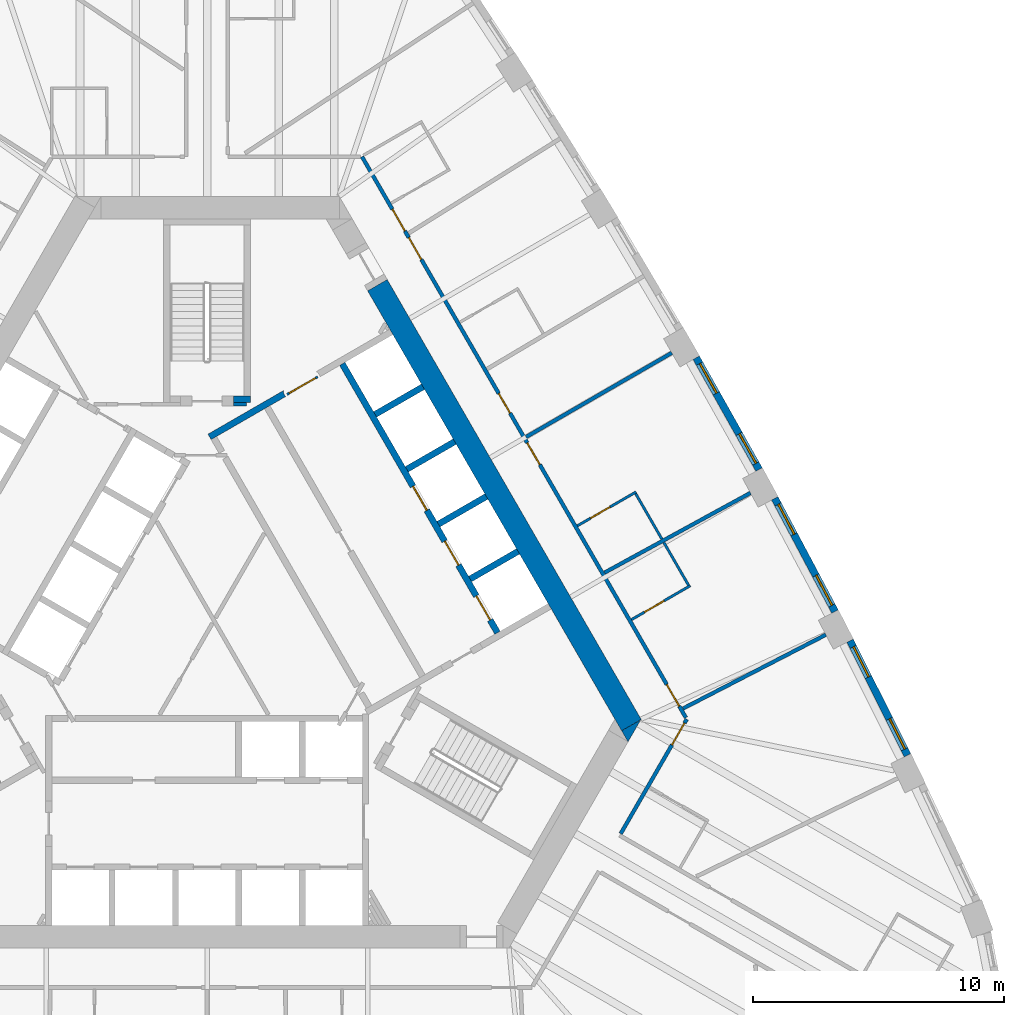
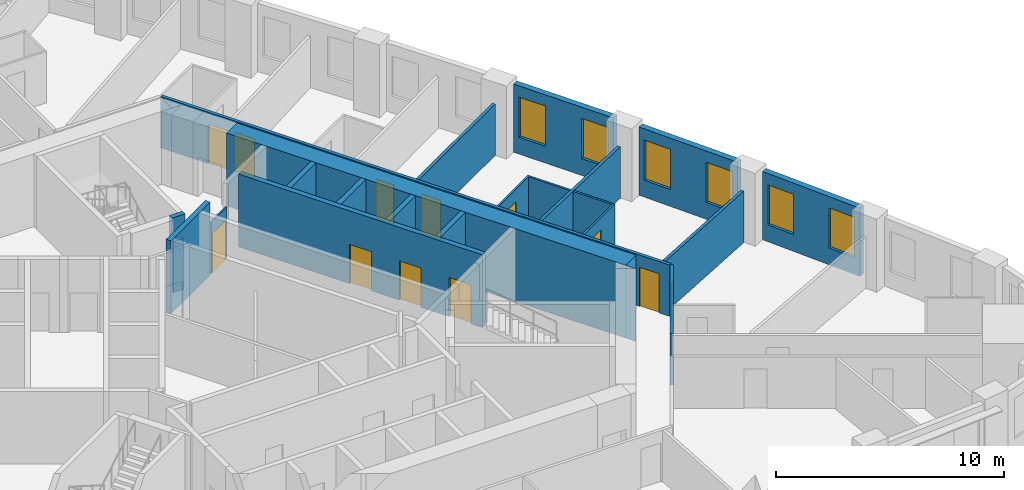
# One storey, part 9 of 13: 23 walls, 12 doors, 6 windows, 18 openings.
"""IFC4 building model written with IfcOpenShell, lengths in metres."""

from ifc_helpers import new_model, si_unit, direction, frame, frame_2d, origin, place, context, subcontext, project, spatial, polyline, rectangle, outline, extrude, material, layer, layer_set, type_object, element, fill, save


model = new_model("IFC4")

# Units and contexts
model_context = context("Model", 3, precision=1e-05, world=origin(), true_north=direction((0.0, 1.0)))
body_context = subcontext(model_context, "Body", "Model", "MODEL_VIEW")
ifc_project = project(units=[si_unit("LENGTHUNIT", "METRE"), si_unit("AREAUNIT", "SQUARE_METRE"), si_unit("VOLUMEUNIT", "CUBIC_METRE"), si_unit("PLANEANGLEUNIT", "RADIAN"), si_unit("MASSUNIT", "GRAM", prefix="KILO")], contexts=[model_context])

# Site, building, storey
site_placement = place(None, origin())
site = spatial("IfcSite", under=ifc_project, at=site_placement, CompositionType="ELEMENT")
building_placement = place(site_placement, origin())
building = spatial("IfcBuilding", under=site, at=building_placement, Name="Mestral Congress Tower", CompositionType="ELEMENT")
storey_placement = place(building_placement, frame((0.0, 0.0, 114.89990234375)))
storey = spatial("IfcBuildingStorey", under=building, at=storey_placement, Name="L27", CompositionType="ELEMENT", Elevation=114.89990234375)

# Wall
ifc_material_1 = material(Name="Fire-rated board partition")
ifc_layer_1 = layer(ifc_material_1, 0.14990234375)
ifc_layer_set_1 = layer_set([ifc_layer_1], Name="Fire-rated board partition")
wall_type_1 = type_object("IfcWallType", Name="Core partition 150", PredefinedType="PARTITIONING", material=ifc_layer_set_1)
wall_1_placement = place(storey_placement, frame((1.050048828125, 8.62548828125, 0.0), z_axis=(0.0, 0.0, 1.0), x_axis=(1.0, 0.0, 0.0)))
element("IfcWall", 1, at=wall_1_placement, inside=storey, type_object=wall_type_1, Name="L27 core wall", PredefinedType="PARTITIONING", context=body_context, shape_type="SweptSolid", body=[
    extrude(rectangle(XDim=0.513916015625, YDim=0.14990234375, at=frame_2d((0.2568359375, 0.0))), origin(), (0.0, 0.0, 1.0), 2.75),
])

# Wall, opening, door
ifc_layer_2 = layer(ifc_material_1, 0.090087890625)
ifc_layer_set_2 = layer_set([ifc_layer_2], Name="Fire-rated board partition")
wall_type_2 = type_object("IfcWallType", Name="Core partition 150 door-wall 90", PredefinedType="PARTITIONING", material=ifc_layer_set_2)
wall_2_placement = place(storey_placement, frame((3.182861328125, 9.02001953125, 0.0), z_axis=(0.0, 0.0, 1.0), x_axis=(0.866034573852, 0.49998411664, 0.0)))
wall_2 = element("IfcWall", 2, at=wall_2_placement, inside=storey, type_object=wall_type_2, Name="L27 door wall", PredefinedType="PARTITIONING", context=body_context, shape_type="SweptSolid", body=[
    extrude(rectangle(XDim=1.39990234375, YDim=0.090087890625, at=frame_2d((0.699951171875, 0.0))), origin(), (0.0, 0.0, 1.0), 2.75),
])
opening_1_placement = place(wall_2_placement, frame((0.10009765625, 0.0, 0.0)))
opening_1 = element("IfcOpeningElement", 3, at=opening_1_placement, cuts=wall_2, Name="Opening LB1-WL2", PredefinedType="OPENING", context=body_context, shape_type="SweptSolid", body=[
    extrude(rectangle(XDim=1.199951171875, YDim=2.10009765625, at=frame_2d((0.60009765625, 1.050048828125))), frame((0.0, 0.054931640625, 0.0), z_axis=(0.0, -1.0, 0.0), x_axis=(1.0, 0.0, 0.0)), (0.0, 0.0, 1.0), 0.110107421875),
])
ifc_material_2 = material(Name="Fire-rated steel door set", Category="steel")
door_type_1 = type_object("IfcDoorType", Name="Core door LB 1200x2100", OperationType="SINGLE_SWING_LEFT", PredefinedType="DOOR", material=ifc_material_2)
door_1_placement = place(opening_1_placement, origin())
door_1 = element("IfcDoor", 4, at=door_1_placement, inside=storey, type_object=door_type_1, Name="Door LB1-WL2", OperationType="SINGLE_SWING_LEFT", OverallHeight=2.10009765625, OverallWidth=1.199951171875, PredefinedType="DOOR", context=body_context, shape_type="SweptSolid", body=[
    extrude(rectangle(XDim=1.199951171875, YDim=2.10009765625, at=frame_2d((0.60009765625, 1.050048828125))), frame((0.0, 0.02490234375, 0.0), z_axis=(0.0, -1.0, 0.0), x_axis=(1.0, 0.0, 0.0)), (0.0, 0.0, 1.0), 0.050048828125),
])
fill(opening_1, door_1)

# Walls
ifc_material_3 = material(Name="Concrete C60/75", Category="concrete")
ifc_layer_3 = layer(ifc_material_3, 0.89990234375)
ifc_layer_set_3 = layer_set([ifc_layer_3], Name="Concrete C60/75")
wall_type_3 = type_object("IfcWallType", Name="Core wall RC 900", PredefinedType="SOLIDWALL", material=ifc_layer_set_3)
wall_3_placement = place(storey_placement, frame((6.77587890625, 13.36376953125, 0.0), z_axis=(0.0, 0.0, 1.0), x_axis=(0.500004177138, -0.8660229921, 0.0)))
element("IfcWall", 5, at=wall_3_placement, inside=storey, type_object=wall_type_3, Name="L27 core wall", PredefinedType="SOLIDWALL", context=body_context, shape_type="SweptSolid", body=[
    extrude(rectangle(XDim=20.203857421875, YDim=0.89990234375, at=frame_2d((10.10205078125, 0.0))), origin(), (0.0, 0.0, 1.0), 3.900146484375),
])
placement = place(storey_placement, origin())
element("IfcWall", 6, at=placement, inside=storey, type_object=wall_type_3, Name="L27 core wall", PredefinedType="SOLIDWALL", context=body_context, shape_type="SweptSolid", body=[
    extrude(outline(polyline([(16.7431640625, -4.800048828125), (16.4892578125, -4.360107421875), (17.251220703125, -3.920166015625), (16.7431640625, -4.800048828125)])), origin(), (0.0, 0.0, 1.0), 3.900146484375),
])

# Wall, openings, windows
ifc_material_4 = material(Name="Precast concrete C40/50 with limestone facing", Category="masonry")
ifc_layer_4 = layer(ifc_material_4, 0.2900390625)
ifc_layer_set_4 = layer_set([ifc_layer_4], Name="Precast concrete C40/50 with limestone facing")
wall_type_4 = type_object("IfcWallType", Name="Facade stone wall 290", PredefinedType="SOLIDWALL", material=ifc_layer_set_4)
wall_5_placement = place(storey_placement, frame((27.864013671875, -5.336181640625, 0.0), z_axis=(0.0, 0.0, 1.0), x_axis=(-0.448534297211, 0.893765620409, 0.0)))
wall_5 = element("IfcWall", 7, at=wall_5_placement, inside=storey, type_object=wall_type_4, Name="Facade wall F1-01", PredefinedType="SOLIDWALL", context=body_context, shape_type="SweptSolid", body=[
    extrude(rectangle(XDim=5.10009765625, YDim=0.2900390625, at=frame_2d((2.550048828125, 0.0))), origin(), (0.0, 0.0, 1.0), 3.650146484375),
])
opening_2_placement = place(wall_5_placement, frame((0.2724609375, 0.0, 0.89990234375)))
opening_2 = element("IfcOpeningElement", 8, at=opening_2_placement, cuts=wall_5, Name="Opening W2", PredefinedType="OPENING", context=body_context, shape_type="SweptSolid", body=[
    extrude(rectangle(XDim=1.35009765625, YDim=2.14990234375, at=frame_2d((0.675048828125, 1.074951171875))), frame((0.0, 0.155029296875, 0.0), z_axis=(0.0, -1.0, 0.0), x_axis=(1.0, 0.0, 0.0)), (0.0, 0.0, 1.0), 0.31005859375),
])
opening_3_placement = place(wall_5_placement, frame((3.477783203125, 0.0, 0.89990234375)))
opening_3 = element("IfcOpeningElement", 9, at=opening_3_placement, cuts=wall_5, Name="Opening W2", PredefinedType="OPENING", context=body_context, shape_type="SweptSolid", body=[
    extrude(rectangle(XDim=1.35009765625, YDim=2.14990234375, at=frame_2d((0.675048828125, 1.074951171875))), frame((0.0, 0.155029296875, 0.0), z_axis=(0.0, -1.0, 0.0), x_axis=(1.0, 0.0, 0.0)), (0.0, 0.0, 1.0), 0.31005859375),
])
ifc_material_5 = material(Name="Clear low-emissivity double glazing", Category="glass")
window_type = type_object("IfcWindowType", Name="Facade punched window 1350 x 2150 sill 900", PartitioningType="DOUBLE_PANEL_VERTICAL", PredefinedType="WINDOW", material=ifc_material_5)
window_1_placement = place(opening_2_placement, origin())
window_1 = element("IfcWindow", 10, at=window_1_placement, inside=storey, type_object=window_type, Name="Window F1-01a", OverallHeight=2.14990234375, OverallWidth=1.35009765625, PartitioningType="DOUBLE_PANEL_VERTICAL", PredefinedType="WINDOW", context=body_context, shape_type="SweptSolid", body=[
    extrude(rectangle(XDim=1.35009765625, YDim=2.14990234375, at=frame_2d((0.675048828125, 1.074951171875))), frame((0.0, 0.01513671875, 0.0), z_axis=(0.0, -1.0, 0.0), x_axis=(1.0, 0.0, 0.0)), (0.0, 0.0, 1.0), 0.06005859375),
])
fill(opening_2, window_1)
window_2_placement = place(opening_3_placement, origin())
window_2 = element("IfcWindow", 11, at=window_2_placement, inside=storey, type_object=window_type, Name="Window F1-01b", OverallHeight=2.14990234375, OverallWidth=1.35009765625, PartitioningType="DOUBLE_PANEL_VERTICAL", PredefinedType="WINDOW", context=body_context, shape_type="SweptSolid", body=[
    extrude(rectangle(XDim=1.35009765625, YDim=2.14990234375, at=frame_2d((0.675048828125, 1.074951171875))), frame((0.0, 0.01513671875, 0.0), z_axis=(0.0, -1.0, 0.0), x_axis=(1.0, 0.0, 0.0)), (0.0, 0.0, 1.0), 0.06005859375),
])
fill(opening_3, window_2)

wall_6_placement = place(storey_placement, frame((24.976806640625, 0.3828125, 0.0), z_axis=(0.0, 0.0, 1.0), x_axis=(-0.469323203119, 0.883026461106, 0.0)))
wall_6 = element("IfcWall", 12, at=wall_6_placement, inside=storey, type_object=wall_type_4, Name="Facade wall F1-02", PredefinedType="SOLIDWALL", context=body_context, shape_type="SweptSolid", body=[
    extrude(rectangle(XDim=5.1005859375, YDim=0.2900390625, at=frame_2d((2.55029296875, 0.0))), origin(), (0.0, 0.0, 1.0), 3.650146484375),
])
opening_4_placement = place(wall_6_placement, frame((0.272705078125, 0.0, 0.89990234375)))
opening_4 = element("IfcOpeningElement", 13, at=opening_4_placement, cuts=wall_6, Name="Opening W2", PredefinedType="OPENING", context=body_context, shape_type="SweptSolid", body=[
    extrude(rectangle(XDim=1.35009765625, YDim=2.14990234375, at=frame_2d((0.675048828125, 1.074951171875))), frame((0.0, 0.155029296875, 0.0), z_axis=(0.0, -1.0, 0.0), x_axis=(1.0, 0.0, 0.0)), (0.0, 0.0, 1.0), 0.31005859375),
])
opening_5_placement = place(wall_6_placement, frame((3.477783203125, 0.0, 0.89990234375)))
opening_5 = element("IfcOpeningElement", 14, at=opening_5_placement, cuts=wall_6, Name="Opening W2", PredefinedType="OPENING", context=body_context, shape_type="SweptSolid", body=[
    extrude(rectangle(XDim=1.35009765625, YDim=2.14990234375, at=frame_2d((0.675048828125, 1.074951171875))), frame((0.0, 0.155029296875, 0.0), z_axis=(0.0, -1.0, 0.0), x_axis=(1.0, 0.0, 0.0)), (0.0, 0.0, 1.0), 0.31005859375),
])
window_3_placement = place(opening_4_placement, origin())
window_3 = element("IfcWindow", 15, at=window_3_placement, inside=storey, type_object=window_type, Name="Window F1-02a", OverallHeight=2.14990234375, OverallWidth=1.35009765625, PartitioningType="DOUBLE_PANEL_VERTICAL", PredefinedType="WINDOW", context=body_context, shape_type="SweptSolid", body=[
    extrude(rectangle(XDim=1.35009765625, YDim=2.14990234375, at=frame_2d((0.675048828125, 1.074951171875))), frame((0.0, 0.01513671875, 0.0), z_axis=(0.0, -1.0, 0.0), x_axis=(1.0, 0.0, 0.0)), (0.0, 0.0, 1.0), 0.06005859375),
])
fill(opening_4, window_3)
window_4_placement = place(opening_5_placement, origin())
window_4 = element("IfcWindow", 16, at=window_4_placement, inside=storey, type_object=window_type, Name="Window F1-02b", OverallHeight=2.14990234375, OverallWidth=1.35009765625, PartitioningType="DOUBLE_PANEL_VERTICAL", PredefinedType="WINDOW", context=body_context, shape_type="SweptSolid", body=[
    extrude(rectangle(XDim=1.35009765625, YDim=2.14990234375, at=frame_2d((0.675048828125, 1.074951171875))), frame((0.0, 0.01513671875, 0.0), z_axis=(0.0, -1.0, 0.0), x_axis=(1.0, 0.0, 0.0)), (0.0, 0.0, 1.0), 0.06005859375),
])
fill(opening_5, window_4)

wall_7_placement = place(storey_placement, frame((21.956298828125, 6.033203125, 0.0), z_axis=(0.0, 0.0, 1.0), x_axis=(-0.48983164787, 0.87181704316, 0.0)))
wall_7 = element("IfcWall", 17, at=wall_7_placement, inside=storey, type_object=wall_type_4, Name="Facade wall F1-03", PredefinedType="SOLIDWALL", context=body_context, shape_type="SweptSolid", body=[
    extrude(rectangle(XDim=5.100341796875, YDim=0.2900390625, at=frame_2d((2.55029296875, 0.0))), origin(), (0.0, 0.0, 1.0), 3.650146484375),
])
opening_6_placement = place(wall_7_placement, frame((0.272705078125, 0.0, 0.89990234375)))
opening_6 = element("IfcOpeningElement", 18, at=opening_6_placement, cuts=wall_7, Name="Opening W2", PredefinedType="OPENING", context=body_context, shape_type="SweptSolid", body=[
    extrude(rectangle(XDim=1.35009765625, YDim=2.14990234375, at=frame_2d((0.675048828125, 1.074951171875))), frame((0.0, 0.155029296875, 0.0), z_axis=(0.0, -1.0, 0.0), x_axis=(1.0, 0.0, 0.0)), (0.0, 0.0, 1.0), 0.31005859375),
])
opening_7_placement = place(wall_7_placement, frame((3.477783203125, 0.0, 0.89990234375)))
opening_7 = element("IfcOpeningElement", 19, at=opening_7_placement, cuts=wall_7, Name="Opening W2", PredefinedType="OPENING", context=body_context, shape_type="SweptSolid", body=[
    extrude(rectangle(XDim=1.35009765625, YDim=2.14990234375, at=frame_2d((0.675048828125, 1.074951171875))), frame((0.0, 0.155029296875, 0.0), z_axis=(0.0, -1.0, 0.0), x_axis=(1.0, 0.0, 0.0)), (0.0, 0.0, 1.0), 0.31005859375),
])
window_5_placement = place(opening_6_placement, origin())
window_5 = element("IfcWindow", 20, at=window_5_placement, inside=storey, type_object=window_type, Name="Window F1-03a", OverallHeight=2.14990234375, OverallWidth=1.35009765625, PartitioningType="DOUBLE_PANEL_VERTICAL", PredefinedType="WINDOW", context=body_context, shape_type="SweptSolid", body=[
    extrude(rectangle(XDim=1.35009765625, YDim=2.14990234375, at=frame_2d((0.675048828125, 1.074951171875))), frame((0.0, 0.01513671875, 0.0), z_axis=(0.0, -1.0, 0.0), x_axis=(1.0, 0.0, 0.0)), (0.0, 0.0, 1.0), 0.06005859375),
])
fill(opening_6, window_5)
window_6_placement = place(opening_7_placement, origin())
window_6 = element("IfcWindow", 21, at=window_6_placement, inside=storey, type_object=window_type, Name="Window F1-03b", OverallHeight=2.14990234375, OverallWidth=1.35009765625, PartitioningType="DOUBLE_PANEL_VERTICAL", PredefinedType="WINDOW", context=body_context, shape_type="SweptSolid", body=[
    extrude(rectangle(XDim=1.35009765625, YDim=2.14990234375, at=frame_2d((0.675048828125, 1.074951171875))), frame((0.0, 0.01513671875, 0.0), z_axis=(0.0, -1.0, 0.0), x_axis=(1.0, 0.0, 0.0)), (0.0, 0.0, 1.0), 0.06005859375),
])
fill(opening_7, window_6)

# Wall, opening, door
ifc_material_6 = material(Name="Gypsum board partition on metal studs with mineral wool", Category="composite")
ifc_layer_5 = layer(ifc_material_6, 0.10009765625)
ifc_layer_set_5 = layer_set([ifc_layer_5], Name="Gypsum board partition on metal studs with mineral wool")
wall_type_5 = type_object("IfcWallType", Name="Hotel partition wall 100", PredefinedType="PARTITIONING", material=ifc_layer_set_5)
wall_8_placement = place(storey_placement, frame((16.88134765625, 0.060546875, 0.0), z_axis=(0.0, 0.0, 1.0), x_axis=(0.866019956843, 0.50000943426, 0.0)))
wall_8 = element("IfcWall", 22, at=wall_8_placement, inside=storey, type_object=wall_type_5, Name="L27-h-pod10a", PredefinedType="PARTITIONING", context=body_context, shape_type="SweptSolid", body=[
    extrude(rectangle(XDim=2.7001953125, YDim=0.10009765625, at=frame_2d((1.35009765625, 0.0))), origin(), (0.0, 0.0, 1.0), 2.75),
])
opening_8_placement = place(wall_8_placement, frame((0.60009765625, 0.0, 0.0)))
opening_8 = element("IfcOpeningElement", 23, at=opening_8_placement, cuts=wall_8, Name="Opening H08-017", PredefinedType="OPENING", context=body_context, shape_type="SweptSolid", body=[
    extrude(rectangle(XDim=0.89990234375, YDim=2.10009765625, at=frame_2d((0.449951171875, 1.050048828125))), frame((0.0, 0.06005859375, 0.0), z_axis=(0.0, -1.0, 0.0), x_axis=(1.0, 0.0, 0.0)), (0.0, 0.0, 1.0), 0.1201171875),
])
ifc_material_7 = material(Name="Timber veneer door leaf in timber frame", Category="wood")
door_type_2 = type_object("IfcDoorType", Name="Bathroom door 900", OperationType="SINGLE_SWING_LEFT", PredefinedType="DOOR", material=ifc_material_7)
door_2_placement = place(opening_8_placement, origin())
door_2 = element("IfcDoor", 24, at=door_2_placement, inside=storey, type_object=door_type_2, Name="L27-h-d017", OperationType="SINGLE_SWING_LEFT", OverallHeight=2.10009765625, OverallWidth=0.89990234375, PredefinedType="DOOR", context=body_context, shape_type="SweptSolid", body=[
    extrude(rectangle(XDim=0.89990234375, YDim=2.10009765625, at=frame_2d((0.449951171875, 1.050048828125))), frame((0.0, 0.02490234375, 0.0), z_axis=(0.0, -1.0, 0.0), x_axis=(1.0, 0.0, 0.0)), (0.0, 0.0, 1.0), 0.050048828125),
])
fill(opening_8, door_2)

# Wall
wall_9_placement = place(storey_placement, frame((19.1513671875, 1.428955078125, 0.0), z_axis=(0.0, 0.0, 1.0), x_axis=(-0.500024377727, 0.866011328839, 0.0)))
element("IfcWall", 25, at=wall_9_placement, inside=storey, type_object=wall_type_5, Name="L27-h-pod10b", PredefinedType="PARTITIONING", context=body_context, shape_type="SweptSolid", body=[
    extrude(rectangle(XDim=1.9599609375, YDim=0.10009765625, at=frame_2d((0.97998046875, 0.0))), origin(), (0.0, 0.0, 1.0), 2.75),
])

# Wall, opening, door
wall_10_placement = place(storey_placement, frame((17.065673828125, 5.141357421875, 0.0), z_axis=(0.0, 0.0, 1.0), x_axis=(-0.866059108428, -0.4999416173, 0.0)))
wall_10 = element("IfcWall", 26, at=wall_10_placement, inside=storey, type_object=wall_type_5, Name="L27-h-pod11a", PredefinedType="PARTITIONING", context=body_context, shape_type="SweptSolid", body=[
    extrude(rectangle(XDim=2.699951171875, YDim=0.10009765625, at=frame_2d((1.35009765625, 0.0))), origin(), (0.0, 0.0, 1.0), 2.75),
])
opening_9_placement = place(wall_10_placement, frame((1.199951171875, 0.0, 0.0)))
opening_9 = element("IfcOpeningElement", 27, at=opening_9_placement, cuts=wall_10, Name="Opening H08-019", PredefinedType="OPENING", context=body_context, shape_type="SweptSolid", body=[
    extrude(rectangle(XDim=0.89990234375, YDim=2.10009765625, at=frame_2d((0.449951171875, 1.050048828125))), frame((0.0, 0.06005859375, 0.0), z_axis=(0.0, -1.0, 0.0), x_axis=(1.0, 0.0, 0.0)), (0.0, 0.0, 1.0), 0.1201171875),
])
door_3_placement = place(opening_9_placement, origin())
door_3 = element("IfcDoor", 28, at=door_3_placement, inside=storey, type_object=door_type_2, Name="L27-h-d019", OperationType="SINGLE_SWING_LEFT", OverallHeight=2.10009765625, OverallWidth=0.89990234375, PredefinedType="DOOR", context=body_context, shape_type="SweptSolid", body=[
    extrude(rectangle(XDim=0.89990234375, YDim=2.10009765625, at=frame_2d((0.449951171875, 1.050048828125))), frame((0.0, 0.02490234375, 0.0), z_axis=(0.0, -1.0, 0.0), x_axis=(1.0, 0.0, 0.0)), (0.0, 0.0, 1.0), 0.050048828125),
])
fill(opening_9, door_3)

# Wall
wall_11_placement = place(storey_placement, frame((17.04736328125, 5.072998046875, 0.0), z_axis=(0.0, 0.0, 1.0), x_axis=(0.500008976872, -0.866020220923, 0.0)))
element("IfcWall", 29, at=wall_11_placement, inside=storey, type_object=wall_type_5, Name="L27-h-pod11b", PredefinedType="PARTITIONING", context=body_context, shape_type="SweptSolid", body=[
    extrude(rectangle(XDim=2.08984375, YDim=0.10009765625, at=frame_2d((1.044921875, 0.0))), origin(), (0.0, 0.0, 1.0), 2.75),
])

# Wall, opening, door
ifc_layer_6 = layer(ifc_material_6, 0.14990234375)
ifc_layer_set_6 = layer_set([ifc_layer_6], Name="Gypsum board partition on metal studs with mineral wool")
wall_type_6 = type_object("IfcWallType", Name="Hotel partition wall 150", PredefinedType="PARTITIONING", material=ifc_layer_set_6)
wall_12_placement = place(storey_placement, frame((19.081298828125, -3.89990234375, 0.0), z_axis=(0.0, 0.0, 1.0), x_axis=(-0.499974327079, -0.866040225545, 0.0)))
wall_12 = element("IfcWall", 30, at=wall_12_placement, inside=storey, type_object=wall_type_6, Name="L27-h-cw02", PredefinedType="PARTITIONING", context=body_context, shape_type="SweptSolid", body=[
    extrude(rectangle(XDim=5.258056640625, YDim=0.14990234375, at=frame_2d((2.62890625, 0.0))), origin(), (0.0, 0.0, 1.0), 2.75),
])
opening_10_placement = place(wall_12_placement, frame((0.179931640625, 0.0, 0.0)))
opening_10 = element("IfcOpeningElement", 31, at=opening_10_placement, cuts=wall_12, Name="Opening H08-014", PredefinedType="OPENING", context=body_context, shape_type="SweptSolid", body=[
    extrude(rectangle(XDim=1.0, YDim=2.10009765625, at=frame_2d((0.5, 1.050048828125))), frame((0.0, 0.0849609375, 0.0), z_axis=(0.0, -1.0, 0.0), x_axis=(1.0, 0.0, 0.0)), (0.0, 0.0, 1.0), 0.169921875),
])
ifc_material_8 = material(Name="Timber veneer door leaf in metal frame", Category="wood")
door_type_3 = type_object("IfcDoorType", Name="Guest room entrance door 1000", OperationType="SINGLE_SWING_LEFT", PredefinedType="DOOR", material=ifc_material_8)
door_4_placement = place(opening_10_placement, origin())
door_4 = element("IfcDoor", 32, at=door_4_placement, inside=storey, type_object=door_type_3, Name="L27-h-d014", OperationType="SINGLE_SWING_LEFT", OverallHeight=2.10009765625, OverallWidth=1.0, PredefinedType="DOOR", context=body_context, shape_type="SweptSolid", body=[
    extrude(rectangle(XDim=1.0, YDim=2.10009765625, at=frame_2d((0.5, 1.050048828125))), frame((0.0, 0.02490234375, 0.0), z_axis=(0.0, -1.0, 0.0), x_axis=(1.0, 0.0, 0.0)), (0.0, 0.0, 1.0), 0.050048828125),
])
fill(opening_10, door_4)

# Wall, openings, doors
wall_13_placement = place(storey_placement, frame((6.1630859375, 18.47509765625, 0.0), z_axis=(0.0, 0.0, 1.0), x_axis=(0.500001317485, -0.866024643133, 0.0)))
wall_13 = element("IfcWall", 33, at=wall_13_placement, inside=storey, type_object=wall_type_6, Name="L27-h-cw03", PredefinedType="PARTITIONING", context=body_context, shape_type="SweptSolid", body=[
    extrude(rectangle(XDim=25.7666015625, YDim=0.14990234375, at=frame_2d((12.88330078125, 0.0))), origin(), (0.0, 0.0, 1.0), 2.75),
])
opening_11_placement = place(wall_13_placement, frame((24.24072265625, 0.0, 0.0)))
opening_11 = element("IfcOpeningElement", 34, at=opening_11_placement, cuts=wall_13, Name="Opening H08-016", PredefinedType="OPENING", context=body_context, shape_type="SweptSolid", body=[
    extrude(rectangle(XDim=1.0, YDim=2.10009765625, at=frame_2d((0.5, 1.050048828125))), frame((0.0, 0.0849609375, 0.0), z_axis=(0.0, -1.0, 0.0), x_axis=(1.0, 0.0, 0.0)), (0.0, 0.0, 1.0), 0.169921875),
])
opening_12_placement = place(wall_13_placement, frame((13.143798828125, 0.0, 0.0)))
opening_12 = element("IfcOpeningElement", 35, at=opening_12_placement, cuts=wall_13, Name="Opening H08-018", PredefinedType="OPENING", context=body_context, shape_type="SweptSolid", body=[
    extrude(rectangle(XDim=1.0, YDim=2.10009765625, at=frame_2d((0.5, 1.050048828125))), frame((0.0, 0.0849609375, 0.0), z_axis=(0.0, -1.0, 0.0), x_axis=(1.0, 0.0, 0.0)), (0.0, 0.0, 1.0), 0.169921875),
])
opening_13_placement = place(wall_13_placement, frame((10.873779296875, 0.0, 0.0)))
opening_13 = element("IfcOpeningElement", 36, at=opening_13_placement, cuts=wall_13, Name="Opening H08-020", PredefinedType="OPENING", context=body_context, shape_type="SweptSolid", body=[
    extrude(rectangle(XDim=0.89990234375, YDim=2.10009765625, at=frame_2d((0.449951171875, 1.050048828125))), frame((0.0, 0.0849609375, 0.0), z_axis=(0.0, -1.0, 0.0), x_axis=(1.0, 0.0, 0.0)), (0.0, 0.0, 1.0), 0.169921875),
])
opening_14_placement = place(wall_13_placement, frame((3.718017578125, 0.0, 0.0)))
opening_14 = element("IfcOpeningElement", 37, at=opening_14_placement, cuts=wall_13, Name="Opening H08-021", PredefinedType="OPENING", context=body_context, shape_type="SweptSolid", body=[
    extrude(rectangle(XDim=1.0, YDim=2.10009765625, at=frame_2d((0.5, 1.050048828125))), frame((0.0, 0.0849609375, 0.0), z_axis=(0.0, -1.0, 0.0), x_axis=(1.0, 0.0, 0.0)), (0.0, 0.0, 1.0), 0.169921875),
])
opening_15_placement = place(wall_13_placement, frame((2.410888671875, 0.0, 0.0)))
opening_15 = element("IfcOpeningElement", 38, at=opening_15_placement, cuts=wall_13, Name="Opening H08-023", PredefinedType="OPENING", context=body_context, shape_type="SweptSolid", body=[
    extrude(rectangle(XDim=1.0, YDim=2.10009765625, at=frame_2d((0.5, 1.050048828125))), frame((0.0, 0.0849609375, 0.0), z_axis=(0.0, -1.0, 0.0), x_axis=(1.0, 0.0, 0.0)), (0.0, 0.0, 1.0), 0.169921875),
])
door_5_placement = place(opening_11_placement, origin())
door_5 = element("IfcDoor", 39, at=door_5_placement, inside=storey, type_object=door_type_3, Name="L27-h-d016", OperationType="SINGLE_SWING_RIGHT", OverallHeight=2.10009765625, OverallWidth=1.0, PredefinedType="DOOR", context=body_context, shape_type="SweptSolid", body=[
    extrude(rectangle(XDim=1.0, YDim=2.10009765625, at=frame_2d((0.5, 1.050048828125))), frame((0.0, 0.02490234375, 0.0), z_axis=(0.0, -1.0, 0.0), x_axis=(1.0, 0.0, 0.0)), (0.0, 0.0, 1.0), 0.050048828125),
])
fill(opening_11, door_5)
door_6_placement = place(opening_12_placement, origin())
door_6 = element("IfcDoor", 40, at=door_6_placement, inside=storey, type_object=door_type_3, Name="L27-h-d018", OperationType="SINGLE_SWING_LEFT", OverallHeight=2.10009765625, OverallWidth=1.0, PredefinedType="DOOR", context=body_context, shape_type="SweptSolid", body=[
    extrude(rectangle(XDim=1.0, YDim=2.10009765625, at=frame_2d((0.5, 1.050048828125))), frame((0.0, 0.02490234375, 0.0), z_axis=(0.0, -1.0, 0.0), x_axis=(1.0, 0.0, 0.0)), (0.0, 0.0, 1.0), 0.050048828125),
])
fill(opening_12, door_6)
door_7_placement = place(opening_14_placement, origin())
door_7 = element("IfcDoor", 41, at=door_7_placement, inside=storey, type_object=door_type_3, Name="L27-h-d021", OperationType="SINGLE_SWING_LEFT", OverallHeight=2.10009765625, OverallWidth=1.0, PredefinedType="DOOR", context=body_context, shape_type="SweptSolid", body=[
    extrude(rectangle(XDim=1.0, YDim=2.10009765625, at=frame_2d((0.5, 1.050048828125))), frame((0.0, 0.02490234375, 0.0), z_axis=(0.0, -1.0, 0.0), x_axis=(1.0, 0.0, 0.0)), (0.0, 0.0, 1.0), 0.050048828125),
])
fill(opening_14, door_7)
door_8_placement = place(opening_15_placement, origin())
door_8 = element("IfcDoor", 42, at=door_8_placement, inside=storey, type_object=door_type_3, Name="L27-h-d023", OperationType="SINGLE_SWING_RIGHT", OverallHeight=2.10009765625, OverallWidth=1.0, PredefinedType="DOOR", context=body_context, shape_type="SweptSolid", body=[
    extrude(rectangle(XDim=1.0, YDim=2.10009765625, at=frame_2d((0.5, 1.050048828125))), frame((0.0, 0.02490234375, 0.0), z_axis=(0.0, -1.0, 0.0), x_axis=(1.0, 0.0, 0.0)), (0.0, 0.0, 1.0), 0.050048828125),
])
fill(opening_15, door_8)
door_type_4 = type_object("IfcDoorType", Name="Service room door 900", OperationType="SINGLE_SWING_LEFT", PredefinedType="DOOR", material=ifc_material_8)
door_9_placement = place(opening_13_placement, origin())
door_9 = element("IfcDoor", 43, at=door_9_placement, inside=storey, type_object=door_type_4, Name="L27-h-d020", OperationType="SINGLE_SWING_RIGHT", OverallHeight=2.10009765625, OverallWidth=0.89990234375, PredefinedType="DOOR", context=body_context, shape_type="SweptSolid", body=[
    extrude(rectangle(XDim=0.89990234375, YDim=2.10009765625, at=frame_2d((0.449951171875, 1.050048828125))), frame((0.0, 0.02490234375, 0.0), z_axis=(0.0, -1.0, 0.0), x_axis=(1.0, 0.0, 0.0)), (0.0, 0.0, 1.0), 0.050048828125),
])
fill(opening_13, door_9)

# Walls
wall_14_placement = place(storey_placement, frame((18.484130859375, 10.671875, 0.0), z_axis=(0.0, 0.0, 1.0), x_axis=(-0.866019162053, -0.50001081084, 0.0)))
element("IfcWall", 44, at=wall_14_placement, inside=storey, type_object=wall_type_6, Name="L27-h-pw21", PredefinedType="PARTITIONING", context=body_context, shape_type="SweptSolid", body=[
    extrude(rectangle(XDim=6.693603515625, YDim=0.14990234375, at=frame_2d((3.3466796875, 0.0))), origin(), (0.0, 0.0, 1.0), 2.75),
])
wall_15_placement = place(storey_placement, frame((21.614013671875, 5.1015625, 0.0), z_axis=(0.0, 0.0, 1.0), x_axis=(-0.877484555087, -0.479604895287, 0.0)))
element("IfcWall", 45, at=wall_15_placement, inside=storey, type_object=wall_type_6, Name="L27-h-pw22", PredefinedType="PARTITIONING", context=body_context, shape_type="SweptSolid", body=[
    extrude(rectangle(XDim=6.611083984375, YDim=0.14990234375, at=frame_2d((3.3056640625, 0.0))), origin(), (0.0, 0.0, 1.0), 2.75),
])
wall_16_placement = place(storey_placement, frame((24.612548828125, -0.54052734375, 0.0), z_axis=(0.0, 0.0, 1.0), x_axis=(-0.888459912519, -0.458954228487, 0.0)))
element("IfcWall", 46, at=wall_16_placement, inside=storey, type_object=wall_type_6, Name="L27-h-pw23", PredefinedType="PARTITIONING", context=body_context, shape_type="SweptSolid", body=[
    extrude(rectangle(XDim=6.391845703125, YDim=0.14990234375, at=frame_2d((3.19580078125, 0.0))), origin(), (0.0, 0.0, 1.0), 2.75),
])
ifc_layer_7 = layer(ifc_material_3, 0.25)
ifc_layer_set_7 = layer_set([ifc_layer_7], Name="Concrete C60/75")
wall_type_7 = type_object("IfcWallType", Name="Shaft wall RC 250", PredefinedType="SOLIDWALL", material=ifc_layer_set_7)
for number, where, z_axis, x_axis, name in (
    (47, (10.463623046875, 1.676513671875, 0.0), (0.0, 0.0, 1.0), (0.86605622881, 0.499946605688, 0.0), "L27 core wall"),
    (48, (9.20361328125, 3.85888671875, 0.0), (0.0, 0.0, 1.0), (0.86605622881, 0.499946605688, 0.0), "L27 core wall"),
    (49, (7.943603515625, 6.041259765625, 0.0), (0.0, 0.0, 1.0), (0.86605622881, 0.499946605688, 0.0), "L27 core wall"),
    (50, (6.68359375, 8.2236328125, 0.0), (0.0, 0.0, 1.0), (0.86605622881, 0.499946605688, 0.0), "L27 core wall"),
):
    element("IfcWall", number, at=place(storey_placement, frame(where, z_axis=z_axis, x_axis=x_axis)), inside=storey, type_object=wall_type_7, Name=name, PredefinedType="SOLIDWALL", context=body_context, shape_type="SweptSolid", body=[
        extrude(rectangle(XDim=2.199951171875, YDim=0.25, at=frame_2d((1.10009765625, 0.0))), origin(), (0.0, 0.0, 1.0), 3.900146484375),
    ])
element("IfcWall", 51, at=placement, inside=storey, type_object=wall_type_7, Name="L27 core wall", PredefinedType="SOLIDWALL", context=body_context, shape_type="SweptSolid", body=[
    extrude(outline(polyline([(2.776123046875, 8.73291015625), (2.49853515625, 8.57275390625), (2.498291015625, 8.57275390625), (2.498291015625, 8.57275390625), (2.28173828125, 8.44775390625), (2.28173828125, 8.44775390625), (0.376708984375, 7.34765625), (0.16015625, 7.22265625), (0.03515625, 7.439208984375), (3.031982421875, 9.16943359375), (3.02978515625, 9.152099609375), (3.029541015625, 9.132568359375), (3.03125, 9.113037109375), (3.03466796875, 9.09375), (3.0400390625, 9.074951171875), (3.04736328125, 9.056640625), (3.05615234375, 9.0390625), (3.118896484375, 8.930908203125), (2.776123046875, 8.73291015625)])), origin(), (0.0, 0.0, 1.0), 3.900146484375),
])

# Wall, openings, doors
wall_18_placement = place(storey_placement, frame((11.552978515625, -0.460205078125, 0.0), z_axis=(0.0, 0.0, 1.0), x_axis=(-0.500006514828, 0.866021642414, 0.0)))
wall_18 = element("IfcWall", 52, at=wall_18_placement, inside=storey, type_object=wall_type_7, Name="L27 door wall", PredefinedType="SOLIDWALL", context=body_context, shape_type="SweptSolid", body=[
    extrude(rectangle(XDim=12.349853515625, YDim=0.25, at=frame_2d((6.1748046875, 0.0))), origin(), (0.0, 0.0, 1.0), 3.900146484375),
])
opening_16_placement = place(wall_18_placement, frame((0.5849609375, 0.0, 0.0)))
opening_16 = element("IfcOpeningElement", 53, at=opening_16_placement, cuts=wall_18, Name="Opening LD-NEA1", PredefinedType="OPENING", context=body_context, shape_type="SweptSolid", body=[
    extrude(rectangle(XDim=1.10009765625, YDim=2.10009765625, at=frame_2d((0.550048828125, 1.050048828125))), frame((0.0, 0.135009765625, 0.0), z_axis=(0.0, -1.0, 0.0), x_axis=(1.0, 0.0, 0.0)), (0.0, 0.0, 1.0), 0.27001953125),
])
opening_17_placement = place(wall_18_placement, frame((3.10498046875, 0.0, 0.0)))
opening_17 = element("IfcOpeningElement", 54, at=opening_17_placement, cuts=wall_18, Name="Opening LD-NEA2", PredefinedType="OPENING", context=body_context, shape_type="SweptSolid", body=[
    extrude(rectangle(XDim=1.10009765625, YDim=2.10009765625, at=frame_2d((0.550048828125, 1.050048828125))), frame((0.0, 0.135009765625, 0.0), z_axis=(0.0, -1.0, 0.0), x_axis=(1.0, 0.0, 0.0)), (0.0, 0.0, 1.0), 0.27001953125),
])
opening_18_placement = place(wall_18_placement, frame((5.625, 0.0, 0.0)))
opening_18 = element("IfcOpeningElement", 55, at=opening_18_placement, cuts=wall_18, Name="Opening LD-NEA3", PredefinedType="OPENING", context=body_context, shape_type="SweptSolid", body=[
    extrude(rectangle(XDim=1.10009765625, YDim=2.10009765625, at=frame_2d((0.550048828125, 1.050048828125))), frame((0.0, 0.135009765625, 0.0), z_axis=(0.0, -1.0, 0.0), x_axis=(1.0, 0.0, 0.0)), (0.0, 0.0, 1.0), 0.27001953125),
])
door_type_5 = type_object("IfcDoorType", Name="Core door LD 1100x2100", OperationType="DOUBLE_DOOR_SLIDING", PredefinedType="DOOR", material=ifc_material_2)
door_10_placement = place(opening_16_placement, origin())
door_10 = element("IfcDoor", 56, at=door_10_placement, inside=storey, type_object=door_type_5, Name="Door LD-NEA1", OperationType="DOUBLE_DOOR_SLIDING", OverallHeight=2.10009765625, OverallWidth=1.10009765625, PredefinedType="DOOR", context=body_context, shape_type="SweptSolid", body=[
    extrude(rectangle(XDim=1.10009765625, YDim=2.10009765625, at=frame_2d((0.550048828125, 1.050048828125))), frame((0.0, 0.02490234375, 0.0), z_axis=(0.0, -1.0, 0.0), x_axis=(1.0, 0.0, 0.0)), (0.0, 0.0, 1.0), 0.050048828125),
])
fill(opening_16, door_10)
door_11_placement = place(opening_17_placement, origin())
door_11 = element("IfcDoor", 57, at=door_11_placement, inside=storey, type_object=door_type_5, Name="Door LD-NEA2", OperationType="DOUBLE_DOOR_SLIDING", OverallHeight=2.10009765625, OverallWidth=1.10009765625, PredefinedType="DOOR", context=body_context, shape_type="SweptSolid", body=[
    extrude(rectangle(XDim=1.10009765625, YDim=2.10009765625, at=frame_2d((0.550048828125, 1.050048828125))), frame((0.0, 0.02490234375, 0.0), z_axis=(0.0, -1.0, 0.0), x_axis=(1.0, 0.0, 0.0)), (0.0, 0.0, 1.0), 0.050048828125),
])
fill(opening_17, door_11)
door_12_placement = place(opening_18_placement, origin())
door_12 = element("IfcDoor", 58, at=door_12_placement, inside=storey, type_object=door_type_5, Name="Door LD-NEA3", OperationType="DOUBLE_DOOR_SLIDING", OverallHeight=2.10009765625, OverallWidth=1.10009765625, PredefinedType="DOOR", context=body_context, shape_type="SweptSolid", body=[
    extrude(rectangle(XDim=1.10009765625, YDim=2.10009765625, at=frame_2d((0.550048828125, 1.050048828125))), frame((0.0, 0.02490234375, 0.0), z_axis=(0.0, -1.0, 0.0), x_axis=(1.0, 0.0, 0.0)), (0.0, 0.0, 1.0), 0.050048828125),
])
fill(opening_18, door_12)

# Wall
ifc_layer_8 = layer(ifc_material_3, 0.25)
ifc_layer_set_8 = layer_set([ifc_layer_8], Name="Concrete C60/75")
wall_type_8 = type_object("IfcWallType", Name="Stair wall RC 250", PredefinedType="SOLIDWALL", material=ifc_layer_set_8)
wall_19_placement = place(storey_placement, frame((1.050048828125, 8.824951171875, 0.0), z_axis=(0.0, 0.0, 1.0), x_axis=(1.0, 0.0, 0.0)))
element("IfcWall", 59, at=wall_19_placement, inside=storey, type_object=wall_type_8, Name="L27 core wall", PredefinedType="SOLIDWALL", context=body_context, shape_type="SweptSolid", body=[
    extrude(rectangle(XDim=0.675048828125, YDim=0.25, at=frame_2d((0.33740234375, 0.0))), origin(), (0.0, 0.0, 1.0), 3.900146484375),
])

save(model, "model.ifc")
